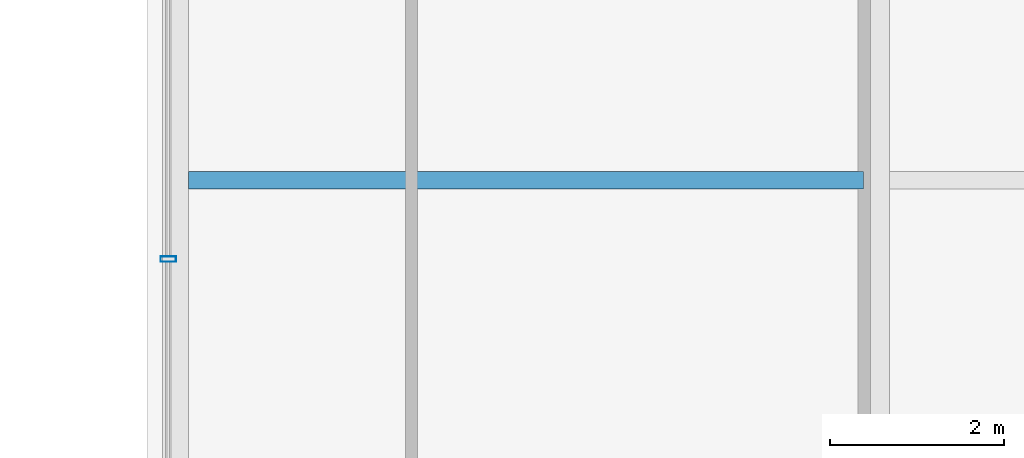
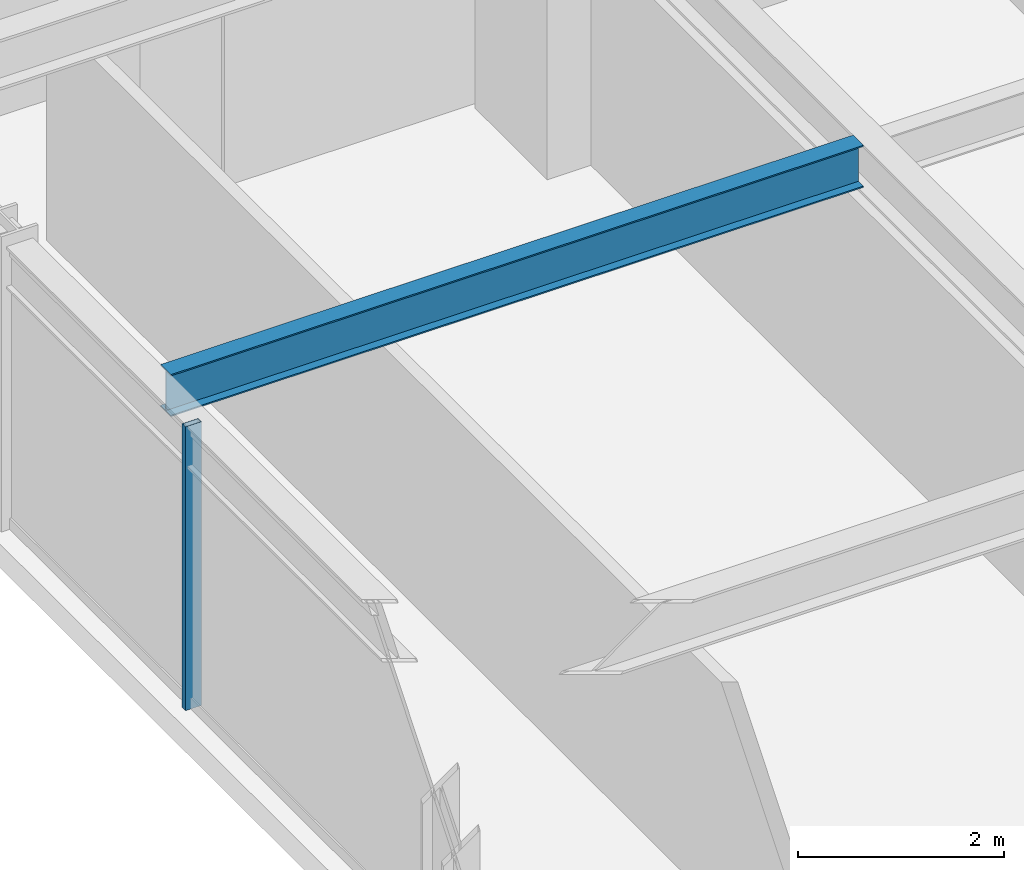
# One storey, part 5 of 36: 1 beam, 1 member, 1 element without a shape of its own.
"""IFC4 building model written with IfcOpenShell, lengths in metres."""

from ifc_helpers import new_model, si_unit, direction, frame, origin, origin_2d, place, context, subcontext, project, spatial, hollow_rectangle, i_section, extrude, source, transform, mapped, material, material_profile, profile_set, type_object, element, aggregate, save


model = new_model("IFC4")

# Units and contexts
model_context = context("Model", 3, precision=1e-05, world=origin(), true_north=direction((0.0, 1.0)))
body_context = subcontext(model_context, "Body", "Model", "MODEL_VIEW")
ifc_project = project(units=[si_unit("LENGTHUNIT", "METRE"), si_unit("AREAUNIT", "SQUARE_METRE"), si_unit("VOLUMEUNIT", "CUBIC_METRE"), si_unit("PLANEANGLEUNIT", "RADIAN"), si_unit("MASSUNIT", "GRAM", prefix="KILO")], contexts=[model_context])

# Site, building, storey
site_placement = place(None, origin())
site = spatial("IfcSite", under=ifc_project, at=site_placement, CompositionType="ELEMENT")
building_placement = place(site_placement, origin())
building = spatial("IfcBuilding", under=site, at=building_placement, Name="Nahalor Promenade Grand Hotel", CompositionType="ELEMENT")
storey_placement = place(building_placement, frame((0.0, 0.0, 76.199951171875)))
storey = spatial("IfcBuildingStorey", under=building, at=storey_placement, Name="L18", CompositionType="ELEMENT", Elevation=76.199951171875)

# Beam
ifc_material_1 = material(Name="Steel S355JR", Category="steel")
ifc_material_profile_1 = material_profile(ifc_material_1, i_section(OverallWidth=0.2, OverallDepth=0.5, WebThickness=0.0102, FlangeThickness=0.016, at=origin_2d()), Name="IPE 500")
ifc_profile_set_1 = profile_set([ifc_material_profile_1], Name="Steel S355JR")
beam_type = type_object("IfcBeamType", Name="Beam-Joist-IPE500", PredefinedType="JOIST", material=ifc_profile_set_1)
shared_shape_1 = source(origin(), body_context, "Body", "SweptSolid", [
    extrude(i_section(OverallWidth=0.2, OverallDepth=0.5, WebThickness=0.0102, FlangeThickness=0.016, at=origin_2d()), origin(), (0.0, 0.0, 1.0), 7.780029296875),
])
beam_placement = place(storey_placement, frame((-24.929931640625, -11.199951171875, 3.1201171875), z_axis=(1.0, 0.0, 0.0), x_axis=(0.0, 1.0, 0.0)))
element("IfcBeam", 1, at=beam_placement, inside=storey, type_object=beam_type, Name="BM-L18-JSW-0-0", PredefinedType="JOIST", context=body_context, shape_type="MappedRepresentation", body=[
    mapped(shared_shape_1, transform((0.0, 0.0, 0.0), scale=1.0)),
])

# Curtain wall, member
ifc_material_2 = material(Name="Anodised Bronze Aluminium EN AW-6063 T6", Category="aluminium")
curtain_wall_type = type_object("IfcCurtainWallType", Name="CW2 Typical Hotel Flush Bronze Unitised Curtain Wall", PredefinedType="USERDEFINED", material=ifc_material_2)
curtain_wall_placement = place(storey_placement, origin())
curtain_wall = element("IfcCurtainWall", 2, at=curtain_wall_placement, inside=storey, type_object=curtain_wall_type, Name="L18 Curtain Wall CW-L18-W-1", ObjectType="UNITISED_CURTAIN_WALL", PredefinedType="USERDEFINED")
ifc_material_profile_2 = material_profile(ifc_material_2, hollow_rectangle(XDim=0.065, YDim=0.18, WallThickness=0.004, at=origin_2d()), Name="CWM 65x180x4")
ifc_profile_set_2 = profile_set([ifc_material_profile_2], Name="Anodised Bronze Aluminium EN AW-6063 T6")
member_type = type_object("IfcMemberType", Name="CWM2 Typical Bronze Mullion 65x180", PredefinedType="MULLION", material=ifc_profile_set_2)
shared_shape_2 = source(origin(), body_context, "Body", "SweptSolid", [
    extrude(hollow_rectangle(XDim=0.065, YDim=0.18, WallThickness=0.004, at=origin_2d()), origin(), (0.0, 0.0, 1.0), 3.3701171875),
])
member_placement = place(storey_placement, frame((-25.159912109375, -12.106689453125, 0.0), z_axis=(0.0, 0.0, 1.0), x_axis=(0.0, 1.0, 0.0)))
member = element("IfcMember", 3, at=member_placement, type_object=member_type, Name="CW-L18-W-1 Mullion 1", PredefinedType="MULLION", context=body_context, shape_type="MappedRepresentation", body=[
    mapped(shared_shape_2, transform((0.0, 0.0, 0.0), scale=1.0)),
])
aggregate(curtain_wall, [member])

save(model, "model.ifc")
